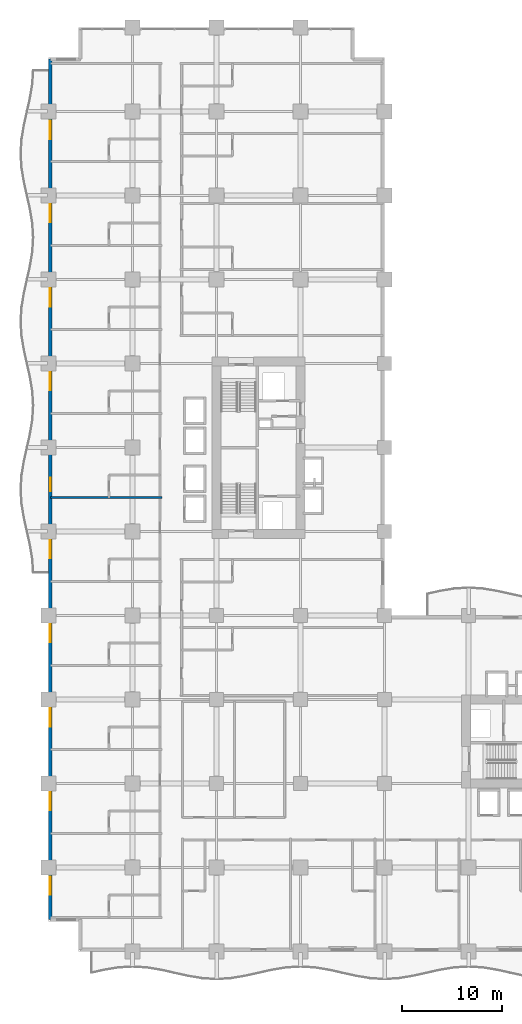
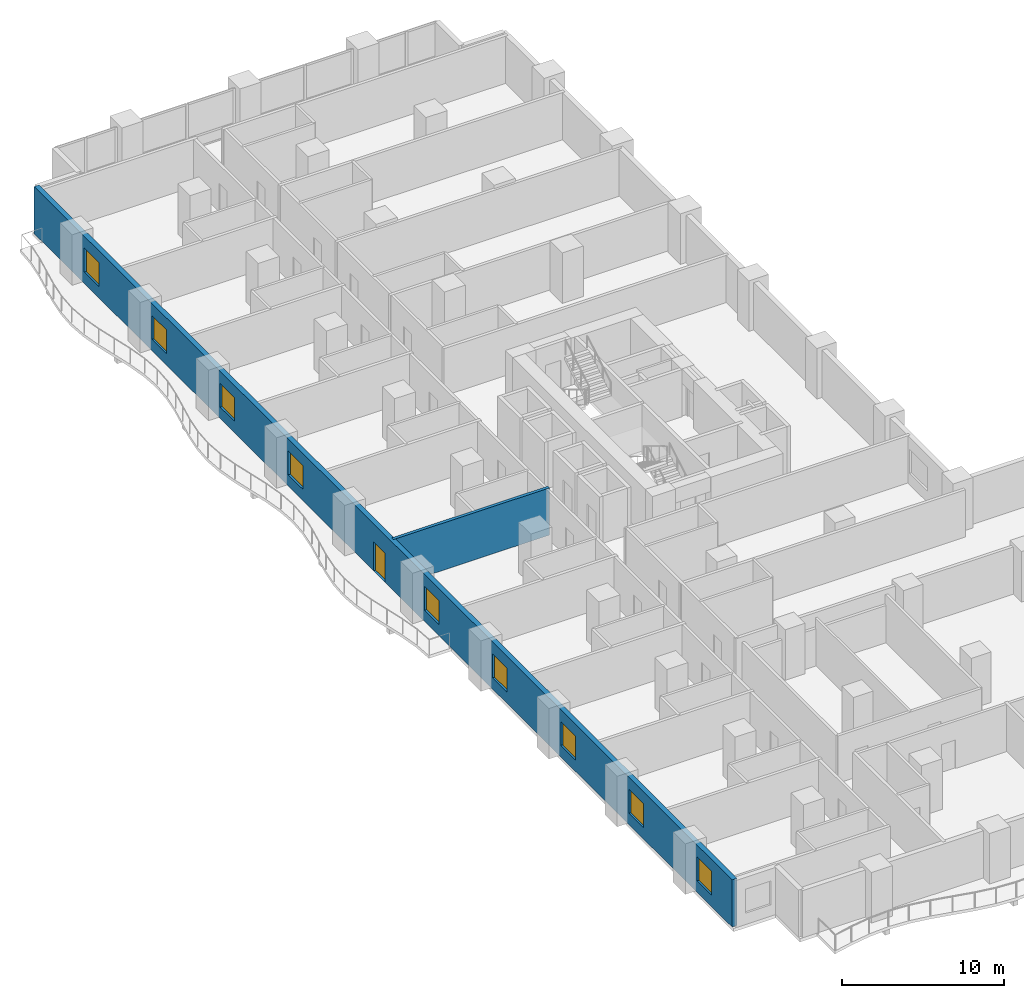
# One storey, part 11 of 23: 9 windows, 2 walls, 1 door, 10 openings.
"""IFC4 building model written with IfcOpenShell, lengths in metres."""

from ifc_helpers import new_model, si_unit, direction, frame, frame_2d, origin, place, context, subcontext, project, spatial, rectangle, extrude, material, layer, layer_set, type_object, element, fill, save


model = new_model("IFC4")

# Units and contexts
model_context = context("Model", 3, precision=1e-05, world=origin(), true_north=direction((0.0, 1.0)))
body_context = subcontext(model_context, "Body", "Model", "MODEL_VIEW")
ifc_project = project(units=[si_unit("LENGTHUNIT", "METRE"), si_unit("AREAUNIT", "SQUARE_METRE"), si_unit("VOLUMEUNIT", "CUBIC_METRE"), si_unit("PLANEANGLEUNIT", "RADIAN"), si_unit("MASSUNIT", "GRAM", prefix="KILO")], contexts=[model_context])

# Site, building, storey
site_placement = place(None, origin())
site = spatial("IfcSite", under=ifc_project, at=site_placement, CompositionType="ELEMENT")
building_placement = place(site_placement, origin())
building = spatial("IfcBuilding", under=site, at=building_placement, Name="Koriwani Terraces Tower", CompositionType="ELEMENT")
storey_placement = place(building_placement, frame((0.0, 0.0, 32.0)))
storey = spatial("IfcBuildingStorey", under=building, at=storey_placement, Name="L06", CompositionType="ELEMENT", Elevation=32.0)

# Wall
ifc_material_1 = material(Name="Autoclaved Cellular Concrete Blockwork", Category="masonry")
ifc_layer_1 = layer(ifc_material_1, 0.219970703125, Name="Autoclaved Cellular Concrete Blockwork")
ifc_layer_set_1 = layer_set([ifc_layer_1], Name="Autoclaved Cellular Concrete Blockwork")
wall_type_1 = type_object("IfcWallType", Name="WALL_DEMISING_220", PredefinedType="PARTITIONING", material=ifc_layer_set_1)
wall_1_placement = place(storey_placement, frame((0.199951171875, 45.39990234375, 0.0), z_axis=(0.0, 0.0, 1.0), x_axis=(1.0, 0.0, 0.0)))
element("IfcWall", 1, at=wall_1_placement, inside=storey, type_object=wall_type_1, Name="L06 Interior Wall WDEM-L06-NW-5", PredefinedType="PARTITIONING", context=body_context, shape_type="SweptSolid", body=[
    extrude(rectangle(XDim=11.130126953125, YDim=0.219970703125, at=frame_2d((5.56494140625, 0.0))), origin(), (0.0, 0.0, 1.0), 3.550048828125),
])

# Wall, openings, door, windows
ifc_material_2 = material(Name="Concrete C50/60", Category="concrete")
ifc_layer_2 = layer(ifc_material_2, 0.35009765625, Name="Concrete C50/60")
ifc_layer_set_2 = layer_set([ifc_layer_2], Name="Concrete C50/60")
wall_type_2 = type_object("IfcWallType", Name="WALL_EXT_BRUTALIST_350", PredefinedType="STANDARD", material=ifc_layer_set_2)
wall_2_placement = place(storey_placement, frame((0.175048828125, 3.175048828125, 0.0), z_axis=(0.0, 0.0, 1.0), x_axis=(0.0, 1.0, 0.0)))
wall_2 = element("IfcWall", 2, at=wall_2_placement, inside=storey, type_object=wall_type_2, Name="L06 Fair-Faced Brutalist Exterior Wall (W)", PredefinedType="STANDARD", context=body_context, shape_type="SweptSolid", body=[
    extrude(rectangle(XDim=86.050048828125, YDim=0.35009765625, at=frame_2d((43.02490234375, 0.0))), origin(), (0.0, 0.0, 1.0), 3.550048828125),
])
opening_1_placement = place(wall_2_placement, frame((42.824951171875, 0.0, 0.0)))
opening_1 = element("IfcOpeningElement", 3, at=opening_1_placement, cuts=wall_2, Name="Opening D-09", PredefinedType="OPENING", context=body_context, shape_type="SweptSolid", body=[
    extrude(rectangle(XDim=1.39990234375, YDim=2.199951171875, at=frame_2d((0.699951171875, 1.10009765625))), frame((0.0, 0.18505859375, 0.0), z_axis=(0.0, -1.0, 0.0), x_axis=(1.0, 0.0, 0.0)), (0.0, 0.0, 1.0), 0.3701171875),
])
opening_2_placement = place(wall_2_placement, frame((2.52490234375, 0.0, 0.85009765625)))
opening_2 = element("IfcOpeningElement", 4, at=opening_2_placement, cuts=wall_2, Name="Opening W-04", PredefinedType="OPENING", context=body_context, shape_type="SweptSolid", body=[
    extrude(rectangle(XDim=1.800048828125, YDim=1.800048828125, at=frame_2d((0.89990234375, 0.89990234375))), frame((0.0, 0.18505859375, 0.0), z_axis=(0.0, -1.0, 0.0), x_axis=(1.0, 0.0, 0.0)), (0.0, 0.0, 1.0), 0.3701171875),
])
opening_3_placement = place(wall_2_placement, frame((10.925048828125, 0.0, 0.85009765625)))
opening_3 = element("IfcOpeningElement", 5, at=opening_3_placement, cuts=wall_2, Name="Opening W-04", PredefinedType="OPENING", context=body_context, shape_type="SweptSolid", body=[
    extrude(rectangle(XDim=1.800048828125, YDim=1.800048828125, at=frame_2d((0.89990234375, 0.89990234375))), frame((0.0, 0.18505859375, 0.0), z_axis=(0.0, -1.0, 0.0), x_axis=(1.0, 0.0, 0.0)), (0.0, 0.0, 1.0), 0.3701171875),
])
opening_4_placement = place(wall_2_placement, frame((19.324951171875, 0.0, 0.85009765625)))
opening_4 = element("IfcOpeningElement", 6, at=opening_4_placement, cuts=wall_2, Name="Opening W-04", PredefinedType="OPENING", context=body_context, shape_type="SweptSolid", body=[
    extrude(rectangle(XDim=1.800048828125, YDim=1.800048828125, at=frame_2d((0.89990234375, 0.89990234375))), frame((0.0, 0.18505859375, 0.0), z_axis=(0.0, -1.0, 0.0), x_axis=(1.0, 0.0, 0.0)), (0.0, 0.0, 1.0), 0.3701171875),
])
opening_5_placement = place(wall_2_placement, frame((27.72509765625, 0.0, 0.85009765625)))
opening_5 = element("IfcOpeningElement", 7, at=opening_5_placement, cuts=wall_2, Name="Opening W-04", PredefinedType="OPENING", context=body_context, shape_type="SweptSolid", body=[
    extrude(rectangle(XDim=1.800048828125, YDim=1.800048828125, at=frame_2d((0.89990234375, 0.89990234375))), frame((0.0, 0.18505859375, 0.0), z_axis=(0.0, -1.0, 0.0), x_axis=(1.0, 0.0, 0.0)), (0.0, 0.0, 1.0), 0.3701171875),
])
opening_6_placement = place(wall_2_placement, frame((36.125, 0.0, 0.85009765625)))
opening_6 = element("IfcOpeningElement", 8, at=opening_6_placement, cuts=wall_2, Name="Opening W-04", PredefinedType="OPENING", context=body_context, shape_type="SweptSolid", body=[
    extrude(rectangle(XDim=1.800048828125, YDim=1.800048828125, at=frame_2d((0.89990234375, 0.89990234375))), frame((0.0, 0.18505859375, 0.0), z_axis=(0.0, -1.0, 0.0), x_axis=(1.0, 0.0, 0.0)), (0.0, 0.0, 1.0), 0.3701171875),
])
opening_7_placement = place(wall_2_placement, frame((52.925048828125, 0.0, 0.85009765625)))
opening_7 = element("IfcOpeningElement", 9, at=opening_7_placement, cuts=wall_2, Name="Opening W-04", PredefinedType="OPENING", context=body_context, shape_type="SweptSolid", body=[
    extrude(rectangle(XDim=1.800048828125, YDim=1.800048828125, at=frame_2d((0.89990234375, 0.89990234375))), frame((0.0, 0.18505859375, 0.0), z_axis=(0.0, -1.0, 0.0), x_axis=(1.0, 0.0, 0.0)), (0.0, 0.0, 1.0), 0.3701171875),
])
opening_8_placement = place(wall_2_placement, frame((61.324951171875, 0.0, 0.85009765625)))
opening_8 = element("IfcOpeningElement", 10, at=opening_8_placement, cuts=wall_2, Name="Opening W-04", PredefinedType="OPENING", context=body_context, shape_type="SweptSolid", body=[
    extrude(rectangle(XDim=1.800048828125, YDim=1.800048828125, at=frame_2d((0.89990234375, 0.89990234375))), frame((0.0, 0.18505859375, 0.0), z_axis=(0.0, -1.0, 0.0), x_axis=(1.0, 0.0, 0.0)), (0.0, 0.0, 1.0), 0.3701171875),
])
opening_9_placement = place(wall_2_placement, frame((69.72509765625, 0.0, 0.85009765625)))
opening_9 = element("IfcOpeningElement", 11, at=opening_9_placement, cuts=wall_2, Name="Opening W-04", PredefinedType="OPENING", context=body_context, shape_type="SweptSolid", body=[
    extrude(rectangle(XDim=1.800048828125, YDim=1.800048828125, at=frame_2d((0.89990234375, 0.89990234375))), frame((0.0, 0.18505859375, 0.0), z_axis=(0.0, -1.0, 0.0), x_axis=(1.0, 0.0, 0.0)), (0.0, 0.0, 1.0), 0.3701171875),
])
opening_10_placement = place(wall_2_placement, frame((78.074951171875, 0.0, 0.85009765625)))
opening_10 = element("IfcOpeningElement", 12, at=opening_10_placement, cuts=wall_2, Name="Opening W-04", PredefinedType="OPENING", context=body_context, shape_type="SweptSolid", body=[
    extrude(rectangle(XDim=1.800048828125, YDim=1.800048828125, at=frame_2d((0.89990234375, 0.89990234375))), frame((0.0, 0.18505859375, 0.0), z_axis=(0.0, -1.0, 0.0), x_axis=(1.0, 0.0, 0.0)), (0.0, 0.0, 1.0), 0.3701171875),
])
ifc_material_3 = material(Name="Anodised Bronze Aluminium", Category="aluminium")
door_type = type_object("IfcDoorType", Name="DOOR_BALCONY_GLAZED_1400X2200", OperationType="NOTDEFINED", PredefinedType="DOOR", material=ifc_material_3)
door_placement = place(opening_1_placement, origin())
door = element("IfcDoor", 13, at=door_placement, inside=storey, type_object=door_type, Name="L06 West Balcony Glazed Door", OperationType="SINGLE_SWING_LEFT", OverallHeight=2.199951171875, OverallWidth=1.39990234375, PredefinedType="DOOR", context=body_context, shape_type="SweptSolid", body=[
    extrude(rectangle(XDim=1.39990234375, YDim=2.199951171875, at=frame_2d((0.699951171875, 1.10009765625))), frame((0.0, 0.02490234375, 0.0), z_axis=(0.0, -1.0, 0.0), x_axis=(1.0, 0.0, 0.0)), (0.0, 0.0, 1.0), 0.050048828125),
])
fill(opening_1, door)
ifc_material_4 = material(Name="Tempered Laminated Low-E Glass", Category="glass")
window_type = type_object("IfcWindowType", Name="WIN_RES_BED_1800X1800", PartitioningType="DOUBLE_PANEL_VERTICAL", PredefinedType="WINDOW", material=ifc_material_4)
window_1_placement = place(opening_2_placement, origin())
window_1 = element("IfcWindow", 14, at=window_1_placement, inside=storey, type_object=window_type, Name="L06 Exterior Window (W-R35)", OverallHeight=1.800048828125, OverallWidth=1.800048828125, PartitioningType="SINGLE_PANEL", PredefinedType="WINDOW", context=body_context, shape_type="SweptSolid", body=[
    extrude(rectangle(XDim=1.800048828125, YDim=1.800048828125, at=frame_2d((0.89990234375, 0.89990234375))), frame((0.0, 0.030029296875, 0.0), z_axis=(0.0, -1.0, 0.0), x_axis=(1.0, 0.0, 0.0)), (0.0, 0.0, 1.0), 0.06005859375),
])
fill(opening_2, window_1)
window_2_placement = place(opening_3_placement, origin())
window_2 = element("IfcWindow", 15, at=window_2_placement, inside=storey, type_object=window_type, Name="L06 Exterior Window (W-R37)", OverallHeight=1.800048828125, OverallWidth=1.800048828125, PartitioningType="SINGLE_PANEL", PredefinedType="WINDOW", context=body_context, shape_type="SweptSolid", body=[
    extrude(rectangle(XDim=1.800048828125, YDim=1.800048828125, at=frame_2d((0.89990234375, 0.89990234375))), frame((0.0, 0.030029296875, 0.0), z_axis=(0.0, -1.0, 0.0), x_axis=(1.0, 0.0, 0.0)), (0.0, 0.0, 1.0), 0.06005859375),
])
fill(opening_3, window_2)
window_3_placement = place(opening_4_placement, origin())
window_3 = element("IfcWindow", 16, at=window_3_placement, inside=storey, type_object=window_type, Name="L06 Exterior Window (W-R39)", OverallHeight=1.800048828125, OverallWidth=1.800048828125, PartitioningType="SINGLE_PANEL", PredefinedType="WINDOW", context=body_context, shape_type="SweptSolid", body=[
    extrude(rectangle(XDim=1.800048828125, YDim=1.800048828125, at=frame_2d((0.89990234375, 0.89990234375))), frame((0.0, 0.030029296875, 0.0), z_axis=(0.0, -1.0, 0.0), x_axis=(1.0, 0.0, 0.0)), (0.0, 0.0, 1.0), 0.06005859375),
])
fill(opening_4, window_3)
window_4_placement = place(opening_5_placement, origin())
window_4 = element("IfcWindow", 17, at=window_4_placement, inside=storey, type_object=window_type, Name="L06 Exterior Window (W-R41)", OverallHeight=1.800048828125, OverallWidth=1.800048828125, PartitioningType="SINGLE_PANEL", PredefinedType="WINDOW", context=body_context, shape_type="SweptSolid", body=[
    extrude(rectangle(XDim=1.800048828125, YDim=1.800048828125, at=frame_2d((0.89990234375, 0.89990234375))), frame((0.0, 0.030029296875, 0.0), z_axis=(0.0, -1.0, 0.0), x_axis=(1.0, 0.0, 0.0)), (0.0, 0.0, 1.0), 0.06005859375),
])
fill(opening_5, window_4)
window_5_placement = place(opening_6_placement, origin())
window_5 = element("IfcWindow", 18, at=window_5_placement, inside=storey, type_object=window_type, Name="L06 Exterior Window (W-R43)", OverallHeight=1.800048828125, OverallWidth=1.800048828125, PartitioningType="SINGLE_PANEL", PredefinedType="WINDOW", context=body_context, shape_type="SweptSolid", body=[
    extrude(rectangle(XDim=1.800048828125, YDim=1.800048828125, at=frame_2d((0.89990234375, 0.89990234375))), frame((0.0, 0.030029296875, 0.0), z_axis=(0.0, -1.0, 0.0), x_axis=(1.0, 0.0, 0.0)), (0.0, 0.0, 1.0), 0.06005859375),
])
fill(opening_6, window_5)
window_6_placement = place(opening_7_placement, origin())
window_6 = element("IfcWindow", 19, at=window_6_placement, inside=storey, type_object=window_type, Name="L06 Exterior Window (W-R47)", OverallHeight=1.800048828125, OverallWidth=1.800048828125, PartitioningType="SINGLE_PANEL", PredefinedType="WINDOW", context=body_context, shape_type="SweptSolid", body=[
    extrude(rectangle(XDim=1.800048828125, YDim=1.800048828125, at=frame_2d((0.89990234375, 0.89990234375))), frame((0.0, 0.030029296875, 0.0), z_axis=(0.0, -1.0, 0.0), x_axis=(1.0, 0.0, 0.0)), (0.0, 0.0, 1.0), 0.06005859375),
])
fill(opening_7, window_6)
window_7_placement = place(opening_8_placement, origin())
window_7 = element("IfcWindow", 20, at=window_7_placement, inside=storey, type_object=window_type, Name="L06 Exterior Window (W-R49)", OverallHeight=1.800048828125, OverallWidth=1.800048828125, PartitioningType="SINGLE_PANEL", PredefinedType="WINDOW", context=body_context, shape_type="SweptSolid", body=[
    extrude(rectangle(XDim=1.800048828125, YDim=1.800048828125, at=frame_2d((0.89990234375, 0.89990234375))), frame((0.0, 0.030029296875, 0.0), z_axis=(0.0, -1.0, 0.0), x_axis=(1.0, 0.0, 0.0)), (0.0, 0.0, 1.0), 0.06005859375),
])
fill(opening_8, window_7)
window_8_placement = place(opening_9_placement, origin())
window_8 = element("IfcWindow", 21, at=window_8_placement, inside=storey, type_object=window_type, Name="L06 Exterior Window (W-R51)", OverallHeight=1.800048828125, OverallWidth=1.800048828125, PartitioningType="SINGLE_PANEL", PredefinedType="WINDOW", context=body_context, shape_type="SweptSolid", body=[
    extrude(rectangle(XDim=1.800048828125, YDim=1.800048828125, at=frame_2d((0.89990234375, 0.89990234375))), frame((0.0, 0.030029296875, 0.0), z_axis=(0.0, -1.0, 0.0), x_axis=(1.0, 0.0, 0.0)), (0.0, 0.0, 1.0), 0.06005859375),
])
fill(opening_9, window_8)
window_9_placement = place(opening_10_placement, origin())
window_9 = element("IfcWindow", 22, at=window_9_placement, inside=storey, type_object=window_type, Name="L06 Exterior Window (W-R53)", OverallHeight=1.800048828125, OverallWidth=1.800048828125, PartitioningType="SINGLE_PANEL", PredefinedType="WINDOW", context=body_context, shape_type="SweptSolid", body=[
    extrude(rectangle(XDim=1.800048828125, YDim=1.800048828125, at=frame_2d((0.89990234375, 0.89990234375))), frame((0.0, 0.030029296875, 0.0), z_axis=(0.0, -1.0, 0.0), x_axis=(1.0, 0.0, 0.0)), (0.0, 0.0, 1.0), 0.06005859375),
])
fill(opening_10, window_9)

save(model, "model.ifc")
